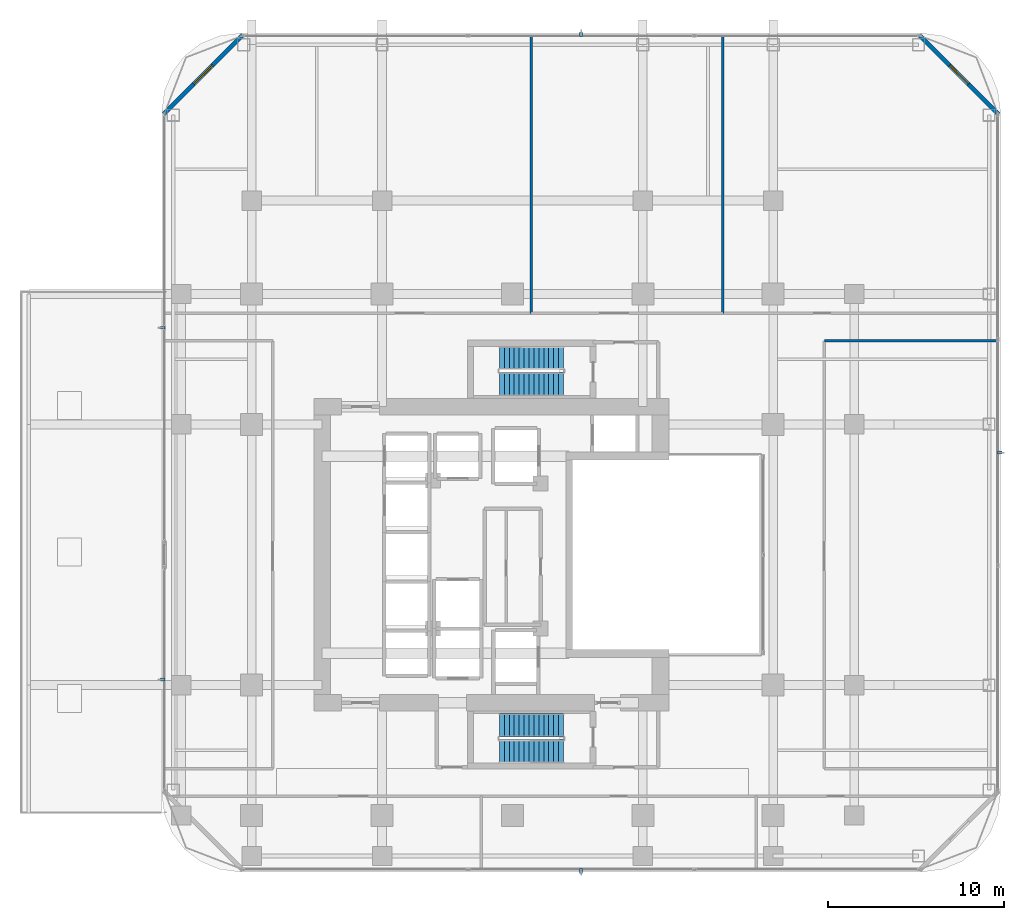
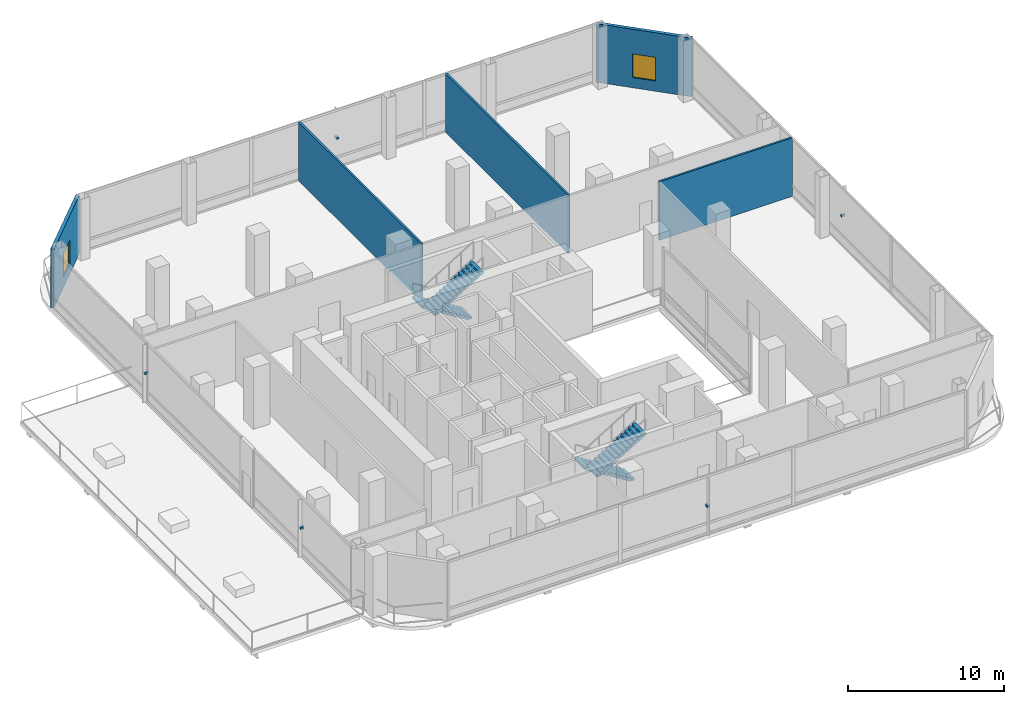
# One storey, part 23 of 28: 5 discrete accessories, 5 walls, 4 stair flights, 2 windows, 2 openings, 2 elements without a shape of their own.
"""IFC4 building model written with IfcOpenShell, lengths in metres."""

from ifc_helpers import new_model, si_unit, direction, frame, frame_2d, origin, origin_2d, place, context, subcontext, project, spatial, polyline, rectangle, outline, extrude, material, layer, layer_set, type_object, element, fill, aggregate, save


model = new_model("IFC4")

# Units and contexts
model_context = context("Model", 3, precision=1e-05, world=origin(), true_north=direction((0.0, 1.0)))
body_context = subcontext(model_context, "Body", "Model", "MODEL_VIEW")
ifc_project = project(units=[si_unit("LENGTHUNIT", "METRE"), si_unit("AREAUNIT", "SQUARE_METRE"), si_unit("VOLUMEUNIT", "CUBIC_METRE"), si_unit("PLANEANGLEUNIT", "RADIAN"), si_unit("MASSUNIT", "GRAM", prefix="KILO")], contexts=[model_context])

# Site, building, storey
site_placement = place(None, origin())
site = spatial("IfcSite", under=ifc_project, at=site_placement, CompositionType="ELEMENT")
building_placement = place(site_placement, origin())
building = spatial("IfcBuilding", under=site, at=building_placement, Name="Khorvyn Point Tower", CompositionType="ELEMENT")
storey_placement = place(building_placement, frame((0.0, 0.0, 108.60009765625)))
storey = spatial("IfcBuildingStorey", under=building, at=storey_placement, Name="L27", CompositionType="ELEMENT", Elevation=108.60009765625)

# Wall, opening, window
ifc_material_1 = material(Name="Pale anodised aluminium rainscreen on steel stud", Category="steel")
ifc_layer_1 = layer(ifc_material_1, 0.239990234375)
ifc_layer_set_1 = layer_set([ifc_layer_1], Name="Anodised Aluminium Insulated Corner Spandrel Wall 240")
wall_type_1 = type_object("IfcWallType", Name="Anodised Aluminium Insulated Corner Spandrel Wall 240", PredefinedType="SOLIDWALL", material=ifc_layer_set_1)
wall_1_placement = place(storey_placement, frame((-19.79248046875, 25.007568359375, 0.0), z_axis=(0.0, 0.0, 1.0), x_axis=(0.707106781187, 0.707106781187, 0.0)))
wall_1 = element("IfcWall", 1, at=wall_1_placement, inside=storey, type_object=wall_type_1, Name="L27 Rounded Corner Wall NW", PredefinedType="SOLIDWALL", context=body_context, shape_type="SweptSolid", body=[
    extrude(rectangle(XDim=6.342529296875, YDim=0.239990234375, at=frame_2d((3.17138671875, 0.0))), origin(), (0.0, 0.0, 1.0), 4.579833984375),
])
opening_1_placement = place(wall_1_placement, frame((2.42138671875, 0.0, 0.800048828125)))
opening_1 = element("IfcOpeningElement", 2, at=opening_1_placement, cuts=wall_1, Name="Opening WN-1518", PredefinedType="OPENING", context=body_context, shape_type="SweptSolid", body=[
    extrude(rectangle(XDim=1.5, YDim=1.85009765625, at=frame_2d((0.75, 0.925048828125))), frame((0.0, 0.1298828125, 0.0), z_axis=(0.0, -1.0, 0.0), x_axis=(1.0, 0.0, 0.0)), (0.0, 0.0, 1.0), 0.260009765625),
])
ifc_material_2 = material(Name="Anodised aluminium 6063-T6 and laminated Low-E glass", Category="aluminium")
window_type = type_object("IfcWindowType", Name="Anodised Aluminium Rounded-Corner Panoramic Window 1500x1850", PartitioningType="SINGLE_PANEL", PredefinedType="WINDOW", material=ifc_material_2)
window_1_placement = place(opening_1_placement, origin())
window_1 = element("IfcWindow", 3, at=window_1_placement, inside=storey, type_object=window_type, Name="L27 Corner Panoramic Window NW", OverallHeight=1.85009765625, OverallWidth=1.5, PartitioningType="SINGLE_PANEL", PredefinedType="WINDOW", context=body_context, shape_type="SweptSolid", body=[
    extrude(rectangle(XDim=1.5, YDim=1.85009765625, at=frame_2d((0.75, 0.925048828125))), frame((0.0, 0.030029296875, 0.0), z_axis=(0.0, -1.0, 0.0), x_axis=(1.0, 0.0, 0.0)), (0.0, 0.0, 1.0), 0.06005859375),
])
fill(opening_1, window_1)

wall_2_placement = place(storey_placement, frame((23.107666015625, 29.492431640625, 0.0), z_axis=(0.0, 0.0, 1.0), x_axis=(0.707087534163, -0.707126027686, 0.0)))
wall_2 = element("IfcWall", 4, at=wall_2_placement, inside=storey, type_object=wall_type_1, Name="L27 Rounded Corner Wall NE", PredefinedType="SOLIDWALL", context=body_context, shape_type="SweptSolid", body=[
    extrude(rectangle(XDim=6.34228515625, YDim=0.239990234375, at=frame_2d((3.171142578125, 0.0))), origin(), (0.0, 0.0, 1.0), 4.579833984375),
])
opening_2_placement = place(wall_2_placement, frame((2.42138671875, 0.0, 0.800048828125)))
opening_2 = element("IfcOpeningElement", 5, at=opening_2_placement, cuts=wall_2, Name="Opening WN-1518", PredefinedType="OPENING", context=body_context, shape_type="SweptSolid", body=[
    extrude(rectangle(XDim=1.5, YDim=1.85009765625, at=frame_2d((0.75, 0.925048828125))), frame((0.0, 0.1298828125, 0.0), z_axis=(0.0, -1.0, 0.0), x_axis=(1.0, 0.0, 0.0)), (0.0, 0.0, 1.0), 0.260009765625),
])
window_2_placement = place(opening_2_placement, origin())
window_2 = element("IfcWindow", 6, at=window_2_placement, inside=storey, type_object=window_type, Name="L27 Corner Panoramic Window NE", OverallHeight=1.85009765625, OverallWidth=1.5, PartitioningType="SINGLE_PANEL", PredefinedType="WINDOW", context=body_context, shape_type="SweptSolid", body=[
    extrude(rectangle(XDim=1.5, YDim=1.85009765625, at=frame_2d((0.75, 0.925048828125))), frame((0.0, 0.030029296875, 0.0), z_axis=(0.0, -1.0, 0.0), x_axis=(1.0, 0.0, 0.0)), (0.0, 0.0, 1.0), 0.06005859375),
])
fill(opening_2, window_2)

# Walls
ifc_material_3 = material(Name="Moisture-resistant gypsum and cement board", Category="gypsum")
ifc_layer_2 = layer(ifc_material_3, 0.14990234375)
ifc_layer_set_2 = layer_set([ifc_layer_2], Name="Moisture-Resistant Wet-Room Partition Wall 150")
wall_type_2 = type_object("IfcWallType", Name="Moisture-Resistant Wet-Room Partition Wall 150", PredefinedType="PARTITIONING", material=ifc_layer_set_2)
for number, where, z_axis, x_axis, name in (
    (7, (1.06298828125, 13.699951171875, 0.0), (0.0, 0.0, 1.0), (0.0, 1.0, 0.0), "Wall"),
    (8, (11.93798828125, 13.699951171875, 0.0), (0.0, 0.0, 1.0), (0.0, 1.0, 0.0), "Wall"),
):
    element("IfcWall", number, at=place(storey_placement, frame(where, z_axis=z_axis, x_axis=x_axis)), inside=storey, type_object=wall_type_2, Name=name, PredefinedType="PARTITIONING", context=body_context, shape_type="SweptSolid", body=[
        extrude(rectangle(XDim=15.72998046875, YDim=0.14990234375, at=frame_2d((7.864990234375, 0.0))), origin(), (0.0, 0.0, 1.0), 4.579833984375),
    ])
wall_3_placement = place(storey_placement, frame((17.699951171875, 12.139892578125, 0.0), z_axis=(0.0, 0.0, 1.0), x_axis=(1.0, 0.0, 0.0)))
element("IfcWall", 9, at=wall_3_placement, inside=storey, type_object=wall_type_2, Name="Wall", PredefinedType="PARTITIONING", context=body_context, shape_type="SweptSolid", body=[
    extrude(rectangle(XDim=9.830078125, YDim=0.14990234375, at=frame_2d((4.9150390625, 0.0))), origin(), (0.0, 0.0, 1.0), 4.579833984375),
])

# Stair, stair flights
ifc_material_4 = material(Name="Concrete C40/50", Category="concrete")
stair_type = type_object("IfcStairType", Name="Tower Concrete C40/50 Dogleg Exit Stair", PredefinedType="HALF_TURN_STAIR", material=ifc_material_4)
stair_1_placement = place(storey_placement, origin())
stair_1 = element("IfcStair", 10, at=stair_1_placement, inside=storey, type_object=stair_type, Name="L27 Tower Smokeproof Exit Stair South", PredefinedType="HALF_TURN_STAIR")
stair_flight_type = type_object("IfcStairFlightType", Name="Tower Concrete C40/50 Stair Flight", PredefinedType="STRAIGHT", material=ifc_material_4)
stair_flight_1_placement = place(storey_placement, frame((2.89990234375, -9.679931640625, 0.0), z_axis=(0.0, 0.0, 1.0), x_axis=(-1.0, 0.0, 0.0)))
stair_flight_1 = element("IfcStairFlight", 11, at=stair_flight_1_placement, type_object=stair_flight_type, Name="ST-01 flight 1", NumberOfRisers=14, NumberOfTreads=13, PredefinedType="STRAIGHT", RiserHeight=0.171428571, TreadLength=0.28, context=body_context, shape_type="SweptSolid", body=[
    extrude(outline(polyline([(0.0, 0.0), (0.0, 0.17138671875), (0.280029296875, 0.17138671875), (0.280029296875, 0.3427734375), (0.56005859375, 0.3427734375), (0.56005859375, 0.514404296875), (0.840087890625, 0.514404296875), (0.840087890625, 0.685791015625), (1.1201171875, 0.685791015625), (1.1201171875, 0.857177734375), (1.39990234375, 0.857177734375), (1.39990234375, 1.028564453125), (1.679931640625, 1.028564453125), (1.679931640625, 1.199951171875), (1.9599609375, 1.199951171875), (1.9599609375, 1.371337890625), (2.239990234375, 1.371337890625), (2.239990234375, 1.54296875), (2.52001953125, 1.54296875), (2.52001953125, 1.71435546875), (2.800048828125, 1.71435546875), (2.800048828125, 1.8857421875), (3.080078125, 1.8857421875), (3.080078125, 2.05712890625), (3.360107421875, 2.05712890625), (3.360107421875, 2.228515625), (3.639892578125, 2.228515625), (3.639892578125, 2.39990234375), (3.639892578125, 2.052734375), (0.287109375, 0.0), (0.0, 0.0)])), frame((0.0, 0.66015625, 0.0), z_axis=(0.0, -1.0, 0.0), x_axis=(1.0, 0.0, 0.0)), (0.0, 0.0, 1.0), 1.320068359375),
])
stair_flight_2_placement = place(storey_placement, frame((-0.739990234375, -11.159912109375, 2.39990234375), z_axis=(0.0, 0.0, 1.0), x_axis=(1.0, 0.0, 0.0)))
stair_flight_2 = element("IfcStairFlight", 12, at=stair_flight_2_placement, type_object=stair_flight_type, Name="ST-01 flight 2", NumberOfRisers=14, NumberOfTreads=13, PredefinedType="STRAIGHT", RiserHeight=0.171428571, TreadLength=0.28, context=body_context, shape_type="SweptSolid", body=[
    extrude(outline(polyline([(0.0, 0.0), (0.0, 0.17138671875), (0.280029296875, 0.17138671875), (0.280029296875, 0.3427734375), (0.56005859375, 0.3427734375), (0.56005859375, 0.514404296875), (0.840087890625, 0.514404296875), (0.840087890625, 0.685791015625), (1.1201171875, 0.685791015625), (1.1201171875, 0.857177734375), (1.39990234375, 0.857177734375), (1.39990234375, 1.028564453125), (1.679931640625, 1.028564453125), (1.679931640625, 1.199951171875), (1.9599609375, 1.199951171875), (1.9599609375, 1.371337890625), (2.239990234375, 1.371337890625), (2.239990234375, 1.54296875), (2.52001953125, 1.54296875), (2.52001953125, 1.71435546875), (2.800048828125, 1.71435546875), (2.800048828125, 1.8857421875), (3.080078125, 1.8857421875), (3.080078125, 2.05712890625), (3.360107421875, 2.05712890625), (3.360107421875, 2.228515625), (3.639892578125, 2.228515625), (3.639892578125, 2.39990234375), (3.639892578125, 2.052734375), (0.287109375, 0.0), (0.0, 0.0)])), frame((0.0, 0.66015625, 0.0), z_axis=(0.0, -1.0, 0.0), x_axis=(1.0, 0.0, 0.0)), (0.0, 0.0, 1.0), 1.320068359375),
])
aggregate(stair_1, [stair_flight_1, stair_flight_2])

stair_2_placement = place(storey_placement, origin())
stair_2 = element("IfcStair", 13, at=stair_2_placement, inside=storey, type_object=stair_type, Name="L27 Tower Smokeproof Exit Stair North", PredefinedType="HALF_TURN_STAIR")
stair_flight_3_placement = place(storey_placement, frame((2.89990234375, 11.159912109375, 0.0), z_axis=(0.0, 0.0, 1.0), x_axis=(-1.0, 0.0, 0.0)))
stair_flight_3 = element("IfcStairFlight", 14, at=stair_flight_3_placement, type_object=stair_flight_type, Name="ST-02 flight 1", NumberOfRisers=14, NumberOfTreads=13, PredefinedType="STRAIGHT", RiserHeight=0.171428571, TreadLength=0.28, context=body_context, shape_type="SweptSolid", body=[
    extrude(outline(polyline([(0.0, 0.0), (0.0, 0.17138671875), (0.280029296875, 0.17138671875), (0.280029296875, 0.3427734375), (0.56005859375, 0.3427734375), (0.56005859375, 0.514404296875), (0.840087890625, 0.514404296875), (0.840087890625, 0.685791015625), (1.1201171875, 0.685791015625), (1.1201171875, 0.857177734375), (1.39990234375, 0.857177734375), (1.39990234375, 1.028564453125), (1.679931640625, 1.028564453125), (1.679931640625, 1.199951171875), (1.9599609375, 1.199951171875), (1.9599609375, 1.371337890625), (2.239990234375, 1.371337890625), (2.239990234375, 1.54296875), (2.52001953125, 1.54296875), (2.52001953125, 1.71435546875), (2.800048828125, 1.71435546875), (2.800048828125, 1.8857421875), (3.080078125, 1.8857421875), (3.080078125, 2.05712890625), (3.360107421875, 2.05712890625), (3.360107421875, 2.228515625), (3.639892578125, 2.228515625), (3.639892578125, 2.39990234375), (3.639892578125, 2.052734375), (0.287109375, 0.0), (0.0, 0.0)])), frame((0.0, 0.66015625, 0.0), z_axis=(0.0, -1.0, 0.0), x_axis=(1.0, 0.0, 0.0)), (0.0, 0.0, 1.0), 1.320068359375),
])
stair_flight_4_placement = place(storey_placement, frame((-0.739990234375, 9.679931640625, 2.39990234375), z_axis=(0.0, 0.0, 1.0), x_axis=(1.0, 0.0, 0.0)))
stair_flight_4 = element("IfcStairFlight", 15, at=stair_flight_4_placement, type_object=stair_flight_type, Name="ST-02 flight 2", NumberOfRisers=14, NumberOfTreads=13, PredefinedType="STRAIGHT", RiserHeight=0.171428571, TreadLength=0.28, context=body_context, shape_type="SweptSolid", body=[
    extrude(outline(polyline([(0.0, 0.0), (0.0, 0.17138671875), (0.280029296875, 0.17138671875), (0.280029296875, 0.3427734375), (0.56005859375, 0.3427734375), (0.56005859375, 0.514404296875), (0.840087890625, 0.514404296875), (0.840087890625, 0.685791015625), (1.1201171875, 0.685791015625), (1.1201171875, 0.857177734375), (1.39990234375, 0.857177734375), (1.39990234375, 1.028564453125), (1.679931640625, 1.028564453125), (1.679931640625, 1.199951171875), (1.9599609375, 1.199951171875), (1.9599609375, 1.371337890625), (2.239990234375, 1.371337890625), (2.239990234375, 1.54296875), (2.52001953125, 1.54296875), (2.52001953125, 1.71435546875), (2.800048828125, 1.71435546875), (2.800048828125, 1.8857421875), (3.080078125, 1.8857421875), (3.080078125, 2.05712890625), (3.360107421875, 2.05712890625), (3.360107421875, 2.228515625), (3.639892578125, 2.228515625), (3.639892578125, 2.39990234375), (3.639892578125, 2.052734375), (0.287109375, 0.0), (0.0, 0.0)])), frame((0.0, 0.66015625, 0.0), z_axis=(0.0, -1.0, 0.0), x_axis=(1.0, 0.0, 0.0)), (0.0, 0.0, 1.0), 1.320068359375),
])
aggregate(stair_2, [stair_flight_3, stair_flight_4])

# Discrete accessories
ifc_material_5 = material(Name="Stainless steel 1.4401", Category="steel")
discrete_accessory_type = type_object("IfcDiscreteAccessoryType", Name="Stainless Steel 316 Facade Fin Fixing Bracket", PredefinedType="BRACKET", material=ifc_material_5)
for number, where, z_axis, x_axis, name in (
    (16, (3.89990234375, -17.949951171875, 2.2099609375), (0.0, 0.0, 1.0), (-1.0, 0.0, 0.0), "L27 Solar Fin Fixing Bracket 01"),
    (17, (3.89990234375, 29.550048828125, 2.2099609375), (0.0, 0.0, 1.0), (1.0, 0.0, 0.0), "L27 Solar Fin Fixing Bracket 01"),
    (18, (-19.85009765625, -7.0849609375, 2.2099609375), (0.0, 0.0, 1.0), (0.0, 1.0, 0.0), "L27 Solar Fin Fixing Bracket 01"),
    (19, (-19.85009765625, 12.885009765625, 2.2099609375), (0.0, 0.0, 1.0), (0.0, 1.0, 0.0), "L27 Solar Fin Fixing Bracket 01"),
    (20, (27.64990234375, 5.800048828125, 2.2099609375), (0.0, 0.0, 1.0), (0.0, -1.0, 0.0), "L27 Solar Fin Fixing Bracket 01"),
):
    element("IfcDiscreteAccessory", number, at=place(storey_placement, frame(where, z_axis=z_axis, x_axis=x_axis)), inside=storey, type_object=discrete_accessory_type, Name=name, PredefinedType="BRACKET", context=body_context, shape_type="SweptSolid", body=[
        extrude(rectangle(XDim=0.159912109375, YDim=0.260009765625, at=origin_2d()), origin(), (0.0, 0.0, 1.0), 0.159912109375),
    ])

save(model, "model.ifc")
